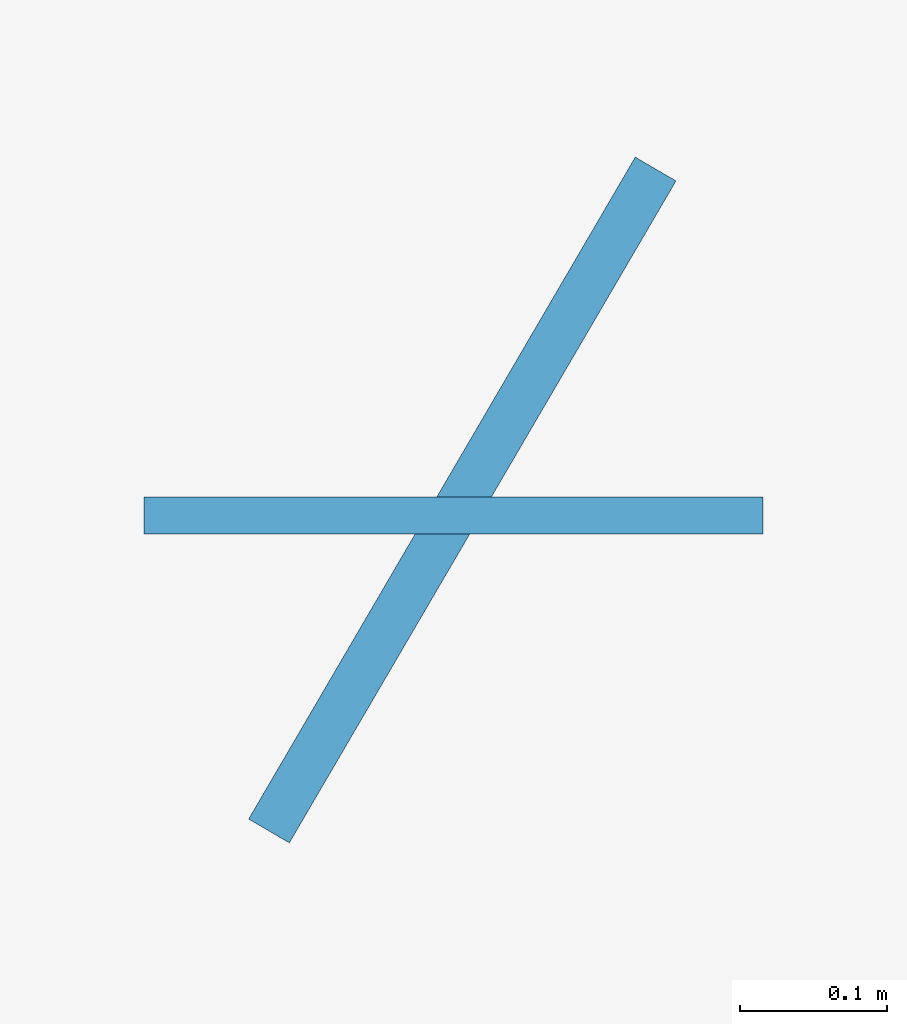
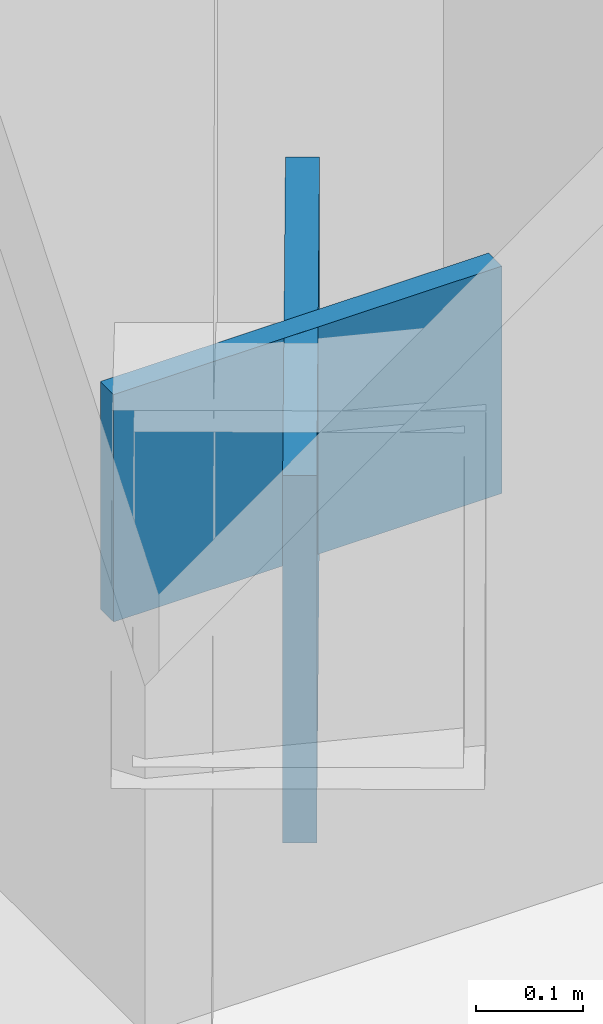
# One storey, part 5 of 14: 2 plates.
"""IFC4 building model written with IfcOpenShell, lengths in metres."""

from ifc_helpers import new_model, si_unit, direction, frame, origin, origin_2d, place, context, subcontext, project, spatial, rectangle, extrude, material, layer, layer_set, type_object, element, save


model = new_model("IFC4")

# Units and contexts
model_context = context("Model", 3, precision=1e-05, world=origin(), true_north=direction((0.0, 1.0)))
body_context = subcontext(model_context, "Body", "Model", "MODEL_VIEW")
ifc_project = project(units=[si_unit("LENGTHUNIT", "METRE"), si_unit("AREAUNIT", "SQUARE_METRE"), si_unit("VOLUMEUNIT", "CUBIC_METRE"), si_unit("PLANEANGLEUNIT", "RADIAN"), si_unit("MASSUNIT", "GRAM", prefix="KILO")], contexts=[model_context])

# Site, building, storey
site_placement = place(None, origin())
site = spatial("IfcSite", under=ifc_project, at=site_placement, CompositionType="ELEMENT")
building_placement = place(site_placement, origin())
building = spatial("IfcBuilding", under=site, at=building_placement, Name="Kavelnor Concourse Tower", CompositionType="ELEMENT")
storey_placement = place(building_placement, frame((0.0, 0.0, 71.449951171875)))
storey = spatial("IfcBuildingStorey", under=building, at=storey_placement, Name="L18", CompositionType="ELEMENT", Elevation=71.449951171875)

# Plates
ifc_material = material(Name="Steel Grade 350", Category="steel")
ifc_layer_1 = layer(ifc_material, 0.031982421875, Name="Steel Grade 350")
ifc_layer_set_1 = layer_set([ifc_layer_1], Name="Steel Grade 350")
plate_type_1 = type_object("IfcPlateType", Name="PL-GUSSET-TUBE-Z1", PredefinedType="USERDEFINED", material=ifc_layer_set_1)
plate_1_placement = place(storey_placement, frame((21.943115234375, 28.9501953125, 0.010009765625), z_axis=(0.0, 0.0, 1.0), x_axis=(-0.50437692518, -0.863483594138, 0.0)))
element("IfcPlate", 1, at=plate_1_placement, inside=storey, type_object=plate_type_1, Name="L18 Tube Brace Gusset GP3 F0-B3 End Gusset A", ObjectType="GUSSET_PLATE", PredefinedType="USERDEFINED", context=body_context, shape_type="SweptSolid", body=[
    extrude(rectangle(XDim=0.52001953125, YDim=0.031982421875, at=origin_2d()), origin(), (0.0, 0.0, 1.0), 0.419921875),
])
ifc_layer_2 = layer(ifc_material, 0.02490234375, Name="Steel Grade 350")
ifc_layer_set_2 = layer_set([ifc_layer_2], Name="Steel Grade 350")
plate_type_2 = type_object("IfcPlateType", Name="PL-SPLICE-FLANGE", PredefinedType="SHEET", material=ifc_layer_set_2)
plate_2_placement = place(storey_placement, frame((21.93701171875, 28.939697265625, 0.169921875), z_axis=(0.0, 0.0, 1.0), x_axis=(1.0, 0.0, 0.0)))
element("IfcPlate", 2, at=plate_2_placement, inside=storey, type_object=plate_type_2, Name="L18 Column Flange Splice Plate F0-B3", PredefinedType="SHEET", context=body_context, shape_type="SweptSolid", body=[
    extrude(rectangle(XDim=0.419921875, YDim=0.02490234375, at=origin_2d()), origin(), (0.0, 0.0, 1.0), 0.260009765625),
])

save(model, "model.ifc")
